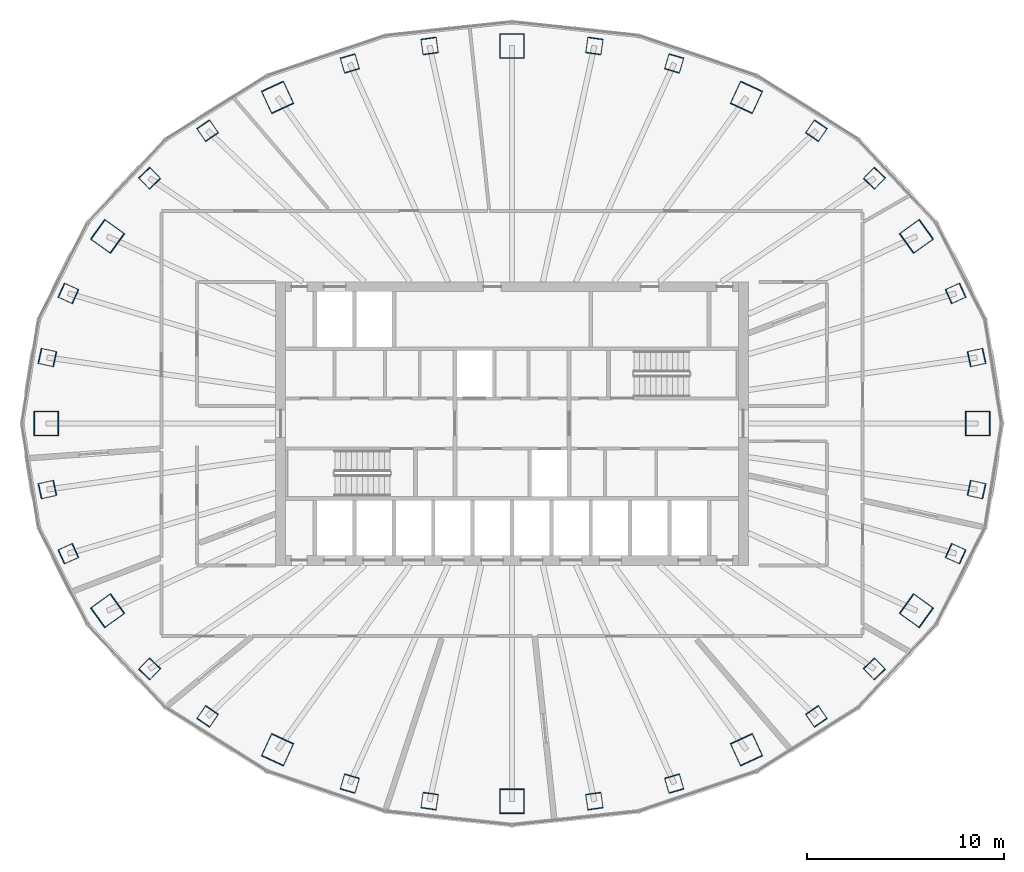
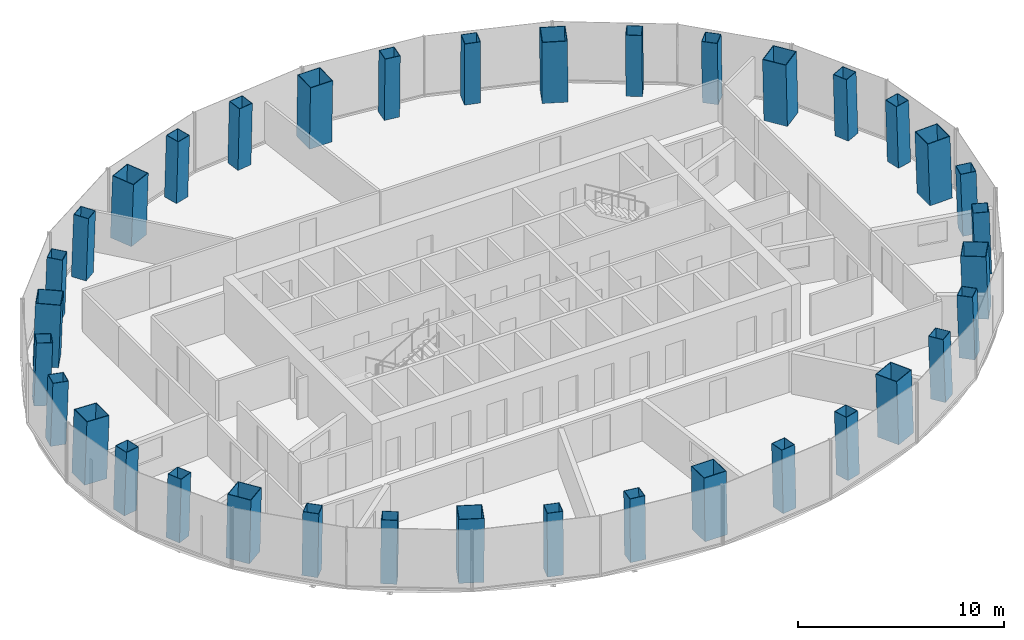
# One storey, part 1 of 12: 36 columns.
"""IFC4 building model written with IfcOpenShell, lengths in metres."""

from ifc_helpers import new_model, si_unit, direction, frame, origin, origin_2d, place, context, subcontext, project, spatial, hollow_rectangle, extrude, material, material_profile, profile_set, type_object, element, save


model = new_model("IFC4")

# Units and contexts
model_context = context("Model", 3, precision=1e-05, world=origin(), true_north=direction((0.0, 1.0)))
body_context = subcontext(model_context, "Body", "Model", "MODEL_VIEW")
ifc_project = project(units=[si_unit("LENGTHUNIT", "METRE"), si_unit("AREAUNIT", "SQUARE_METRE"), si_unit("VOLUMEUNIT", "CUBIC_METRE"), si_unit("PLANEANGLEUNIT", "RADIAN"), si_unit("MASSUNIT", "GRAM", prefix="KILO")], contexts=[model_context])

# Site, building, storey
site_placement = place(None, origin())
site = spatial("IfcSite", under=ifc_project, at=site_placement, CompositionType="ELEMENT")
building_placement = place(site_placement, origin())
building = spatial("IfcBuilding", under=site, at=building_placement, Name="Siaravel Broadcast Tower", CompositionType="ELEMENT")
storey_placement = place(building_placement, frame((0.0, 0.0, 137.800048828125)))
storey = spatial("IfcBuildingStorey", under=building, at=storey_placement, Name="L33", CompositionType="ELEMENT", Elevation=137.800048828125)

# Columns
ifc_material = material(Name="Concrete C60/75", Category="concrete")
ifc_material_profile_1 = material_profile(ifc_material, hollow_rectangle(XDim=1.25, YDim=1.25, WallThickness=0.031982421875, at=origin_2d()))
ifc_profile_set_1 = profile_set([ifc_material_profile_1], Name="Concrete C60/75")
column_type_1 = type_object("IfcColumnType", Name="COL-CFT BOX 1250x1250x32", PredefinedType="COLUMN", material=ifc_profile_set_1)
column_1_placement = place(storey_placement, frame((23.6728515625, 0.0, 0.0), z_axis=(-0.034555398, 0.0, 0.999402784), x_axis=(0.0, -1.0, 0.0)))
element("IfcColumn", 1, at=column_1_placement, inside=storey, type_object=column_type_1, Name="Megacolumn MC01", PredefinedType="COLUMN", context=body_context, shape_type="SweptSolid", body=[
    extrude(hollow_rectangle(XDim=1.25, YDim=1.25, WallThickness=0.031982421875, at=origin_2d()), origin(), (0.0, 0.0, 1.0), 3.7021484375),
])
column_2_placement = place(storey_placement, frame((20.554931640625, 9.51220703125, 0.0), z_axis=(-0.029940667, -0.01417895, 0.999451106), x_axis=(0.583250147, -0.812270814, 0.005949016)))
element("IfcColumn", 2, at=column_2_placement, inside=storey, type_object=column_type_1, Name="Megacolumn MC02", PredefinedType="COLUMN", context=body_context, shape_type="SweptSolid", body=[
    extrude(hollow_rectangle(XDim=1.25, YDim=1.25, WallThickness=0.031982421875, at=origin_2d()), origin(), (0.0, 0.0, 1.0), 3.701904296875),
])
column_3_placement = place(storey_placement, frame((11.916259765625, 16.578857421875, 0.0), z_axis=(-0.017280237, -0.024535299, 0.999549605), x_axis=(0.908022718, -0.418885919, 0.005415796)))
element("IfcColumn", 3, at=column_3_placement, inside=storey, type_object=column_type_1, Name="Megacolumn MC03", PredefinedType="COLUMN", context=body_context, shape_type="SweptSolid", body=[
    extrude(hollow_rectangle(XDim=1.25, YDim=1.25, WallThickness=0.031982421875, at=origin_2d()), origin(), (0.0, 0.0, 1.0), 3.70166015625),
])
column_4_placement = place(storey_placement, frame((0.0, 19.19189453125, 0.0), z_axis=(0.0, -0.02836206, 0.999597716), x_axis=(1.0, 0.0, 0.0)))
element("IfcColumn", 4, at=column_4_placement, inside=storey, type_object=column_type_1, Name="Megacolumn MC04", PredefinedType="COLUMN", context=body_context, shape_type="SweptSolid", body=[
    extrude(hollow_rectangle(XDim=1.25, YDim=1.25, WallThickness=0.031982421875, at=origin_2d()), origin(), (0.0, 0.0, 1.0), 3.701416015625),
])
column_5_placement = place(storey_placement, frame((-11.916259765625, 16.578857421875, 0.0), z_axis=(0.017280237, -0.024535299, 0.999549605), x_axis=(0.908022718, 0.418885919, -0.005415796)))
element("IfcColumn", 5, at=column_5_placement, inside=storey, type_object=column_type_1, Name="Megacolumn MC05", PredefinedType="COLUMN", context=body_context, shape_type="SweptSolid", body=[
    extrude(hollow_rectangle(XDim=1.25, YDim=1.25, WallThickness=0.031982421875, at=origin_2d()), origin(), (0.0, 0.0, 1.0), 3.70166015625),
])
column_6_placement = place(storey_placement, frame((-20.554931640625, 9.51220703125, 0.0), z_axis=(0.029940667, -0.01417895, 0.999451106), x_axis=(0.583250147, 0.812270814, -0.005949016)))
element("IfcColumn", 6, at=column_6_placement, inside=storey, type_object=column_type_1, Name="Megacolumn MC06", PredefinedType="COLUMN", context=body_context, shape_type="SweptSolid", body=[
    extrude(hollow_rectangle(XDim=1.25, YDim=1.25, WallThickness=0.031982421875, at=origin_2d()), origin(), (0.0, 0.0, 1.0), 3.701904296875),
])
column_7_placement = place(storey_placement, frame((-23.6728515625, 0.0, 0.0), z_axis=(0.034555398, 0.0, 0.999402784), x_axis=(0.0, 1.0, 0.0)))
element("IfcColumn", 7, at=column_7_placement, inside=storey, type_object=column_type_1, Name="Megacolumn MC07", PredefinedType="COLUMN", context=body_context, shape_type="SweptSolid", body=[
    extrude(hollow_rectangle(XDim=1.25, YDim=1.25, WallThickness=0.031982421875, at=origin_2d()), origin(), (0.0, 0.0, 1.0), 3.7021484375),
])
column_8_placement = place(storey_placement, frame((-20.554931640625, -9.51220703125, 0.0), z_axis=(0.029940667, 0.01417895, 0.999451106), x_axis=(-0.583250147, 0.812270814, 0.005949016)))
element("IfcColumn", 8, at=column_8_placement, inside=storey, type_object=column_type_1, Name="Megacolumn MC08", PredefinedType="COLUMN", context=body_context, shape_type="SweptSolid", body=[
    extrude(hollow_rectangle(XDim=1.25, YDim=1.25, WallThickness=0.031982421875, at=origin_2d()), origin(), (0.0, 0.0, 1.0), 3.701904296875),
])
column_9_placement = place(storey_placement, frame((-11.916259765625, -16.578857421875, 0.0), z_axis=(0.017280237, 0.024535299, 0.999549605), x_axis=(-0.908022718, 0.418885919, 0.005415796)))
element("IfcColumn", 9, at=column_9_placement, inside=storey, type_object=column_type_1, Name="Megacolumn MC09", PredefinedType="COLUMN", context=body_context, shape_type="SweptSolid", body=[
    extrude(hollow_rectangle(XDim=1.25, YDim=1.25, WallThickness=0.031982421875, at=origin_2d()), origin(), (0.0, 0.0, 1.0), 3.70166015625),
])
column_10_placement = place(storey_placement, frame((0.0, -19.19189453125, 0.0), z_axis=(0.0, 0.02836206, 0.999597716), x_axis=(-1.0, 0.0, 0.0)))
element("IfcColumn", 10, at=column_10_placement, inside=storey, type_object=column_type_1, Name="Megacolumn MC10", PredefinedType="COLUMN", context=body_context, shape_type="SweptSolid", body=[
    extrude(hollow_rectangle(XDim=1.25, YDim=1.25, WallThickness=0.031982421875, at=origin_2d()), origin(), (0.0, 0.0, 1.0), 3.701416015625),
])
column_11_placement = place(storey_placement, frame((11.916259765625, -16.578857421875, 0.0), z_axis=(-0.017280237, 0.024535299, 0.999549605), x_axis=(-0.908022718, -0.418885919, -0.005415796)))
element("IfcColumn", 11, at=column_11_placement, inside=storey, type_object=column_type_1, Name="Megacolumn MC11", PredefinedType="COLUMN", context=body_context, shape_type="SweptSolid", body=[
    extrude(hollow_rectangle(XDim=1.25, YDim=1.25, WallThickness=0.031982421875, at=origin_2d()), origin(), (0.0, 0.0, 1.0), 3.70166015625),
])
column_12_placement = place(storey_placement, frame((20.554931640625, -9.51220703125, 0.0), z_axis=(-0.029940667, 0.01417895, 0.999451106), x_axis=(-0.583250147, -0.812270814, -0.005949016)))
element("IfcColumn", 12, at=column_12_placement, inside=storey, type_object=column_type_1, Name="Megacolumn MC12", PredefinedType="COLUMN", context=body_context, shape_type="SweptSolid", body=[
    extrude(hollow_rectangle(XDim=1.25, YDim=1.25, WallThickness=0.031982421875, at=origin_2d()), origin(), (0.0, 0.0, 1.0), 3.701904296875),
])
ifc_material_profile_2 = material_profile(ifc_material, hollow_rectangle(XDim=0.800048828125, YDim=0.800048828125, WallThickness=0.02490234375, at=origin_2d()))
ifc_profile_set_2 = profile_set([ifc_material_profile_2], Name="Concrete C60/75")
column_type_2 = type_object("IfcColumnType", Name="COL-CFT BOX 800x800x25", PredefinedType="COLUMN", material=ifc_profile_set_2)
for number, where, z_axis, x_axis, name in (
    (13, (23.614501953125, 3.355224609375, 0.0), (-0.034093914, -0.00487998, 0.999406719), (0.211413133, -0.977393746, 0.002439687), "Perimeter column C01"),
    (14, (22.5478515625, 6.615478515625, 0.0), (-0.032511791, -0.009694185, 0.999424337), (0.409997039, -0.912075799, 0.004490491), "Perimeter column C02"),
):
    element("IfcColumn", number, at=place(storey_placement, frame(where, z_axis=z_axis, x_axis=x_axis)), inside=storey, type_object=column_type_2, Name=name, PredefinedType="COLUMN", context=body_context, shape_type="SweptSolid", body=[
        extrude(hollow_rectangle(XDim=0.800048828125, YDim=0.800048828125, WallThickness=0.02490234375, at=origin_2d()), origin(), (0.0, 0.0, 1.0), 3.7021484375),
    ])
column_13_placement = place(storey_placement, frame((18.418212890625, 12.470947265625, 0.0), z_axis=(-0.026446242, -0.018268352, 0.999483298), x_axis=(0.721972796, -0.691891312, 0.00645709)))
element("IfcColumn", 15, at=column_13_placement, inside=storey, type_object=column_type_2, Name="Perimeter column C03", PredefinedType="COLUMN", context=body_context, shape_type="SweptSolid", body=[
    extrude(hollow_rectangle(XDim=0.800048828125, YDim=0.800048828125, WallThickness=0.02490234375, at=origin_2d()), origin(), (0.0, 0.0, 1.0), 3.701904296875),
])
column_14_placement = place(storey_placement, frame((15.470703125, 14.885009765625, 0.0), z_axis=(-0.022292076, -0.0216985, 0.999516002), x_axis=(0.827314223, -0.561704567, 0.006257434)))
element("IfcColumn", 16, at=column_14_placement, inside=storey, type_object=column_type_2, Name="Perimeter column C04", PredefinedType="COLUMN", context=body_context, shape_type="SweptSolid", body=[
    extrude(hollow_rectangle(XDim=0.800048828125, YDim=0.800048828125, WallThickness=0.02490234375, at=origin_2d()), origin(), (0.0, 0.0, 1.0), 3.70166015625),
])
for number, where, z_axis, x_axis, name in (
    (17, (8.244384765625, 18.301513671875, 0.0), (-0.011872213, -0.026646524, 0.999574416), (0.959457794, -0.281825593, 0.003882868), "Perimeter column C05"),
    (18, (4.1875, 19.191650390625, 0.0), (-0.006002173, -0.027900212, 0.999592693), (0.990137685, -0.140082913, 0.002035464), "Perimeter column C06"),
    (19, (-4.1875, 19.191650390625, 0.0), (0.006002173, -0.027900212, 0.999592693), (0.990137685, 0.140082913, -0.002035464), "Perimeter column C07"),
    (20, (-8.244384765625, 18.301513671875, 0.0), (0.011872213, -0.026646524, 0.999574416), (0.959457794, 0.281825593, -0.003882868), "Perimeter column C08"),
):
    element("IfcColumn", number, at=place(storey_placement, frame(where, z_axis=z_axis, x_axis=x_axis)), inside=storey, type_object=column_type_2, Name=name, PredefinedType="COLUMN", context=body_context, shape_type="SweptSolid", body=[
        extrude(hollow_rectangle(XDim=0.800048828125, YDim=0.800048828125, WallThickness=0.02490234375, at=origin_2d()), origin(), (0.0, 0.0, 1.0), 3.701416015625),
    ])
column_15_placement = place(storey_placement, frame((-15.470703125, 14.885009765625, 0.0), z_axis=(0.022292076, -0.0216985, 0.999516002), x_axis=(0.827314223, 0.561704567, -0.006257434)))
element("IfcColumn", 21, at=column_15_placement, inside=storey, type_object=column_type_2, Name="Perimeter column C09", PredefinedType="COLUMN", context=body_context, shape_type="SweptSolid", body=[
    extrude(hollow_rectangle(XDim=0.800048828125, YDim=0.800048828125, WallThickness=0.02490234375, at=origin_2d()), origin(), (0.0, 0.0, 1.0), 3.70166015625),
])
column_16_placement = place(storey_placement, frame((-18.418212890625, 12.470947265625, 0.0), z_axis=(0.026446242, -0.018268352, 0.999483298), x_axis=(0.721972796, 0.691891312, -0.00645709)))
element("IfcColumn", 22, at=column_16_placement, inside=storey, type_object=column_type_2, Name="Perimeter column C10", PredefinedType="COLUMN", context=body_context, shape_type="SweptSolid", body=[
    extrude(hollow_rectangle(XDim=0.800048828125, YDim=0.800048828125, WallThickness=0.02490234375, at=origin_2d()), origin(), (0.0, 0.0, 1.0), 3.701904296875),
])
for number, where, z_axis, x_axis, name in (
    (23, (-22.5478515625, 6.615478515625, 0.0), (0.032511791, -0.009694185, 0.999424337), (0.409997039, 0.912075799, -0.004490491), "Perimeter column C11"),
    (24, (-23.614501953125, 3.355224609375, 0.0), (0.034093914, -0.00487998, 0.999406719), (0.211413133, 0.977393746, -0.002439687), "Perimeter column C12"),
    (25, (-23.614501953125, -3.355224609375, 0.0), (0.034093914, 0.00487998, 0.999406719), (-0.211413133, 0.977393746, 0.002439687), "Perimeter column C13"),
    (26, (-22.5478515625, -6.615478515625, 0.0), (0.032511791, 0.009694185, 0.999424337), (-0.409997039, 0.912075799, 0.004490491), "Perimeter column C14"),
):
    element("IfcColumn", number, at=place(storey_placement, frame(where, z_axis=z_axis, x_axis=x_axis)), inside=storey, type_object=column_type_2, Name=name, PredefinedType="COLUMN", context=body_context, shape_type="SweptSolid", body=[
        extrude(hollow_rectangle(XDim=0.800048828125, YDim=0.800048828125, WallThickness=0.02490234375, at=origin_2d()), origin(), (0.0, 0.0, 1.0), 3.7021484375),
    ])
column_17_placement = place(storey_placement, frame((-18.418212890625, -12.470947265625, 0.0), z_axis=(0.026446242, 0.018268352, 0.999483298), x_axis=(-0.721972796, 0.691891312, 0.00645709)))
element("IfcColumn", 27, at=column_17_placement, inside=storey, type_object=column_type_2, Name="Perimeter column C15", PredefinedType="COLUMN", context=body_context, shape_type="SweptSolid", body=[
    extrude(hollow_rectangle(XDim=0.800048828125, YDim=0.800048828125, WallThickness=0.02490234375, at=origin_2d()), origin(), (0.0, 0.0, 1.0), 3.701904296875),
])
column_18_placement = place(storey_placement, frame((-15.470703125, -14.885009765625, 0.0), z_axis=(0.022292076, 0.0216985, 0.999516002), x_axis=(-0.827314223, 0.561704567, 0.006257434)))
element("IfcColumn", 28, at=column_18_placement, inside=storey, type_object=column_type_2, Name="Perimeter column C16", PredefinedType="COLUMN", context=body_context, shape_type="SweptSolid", body=[
    extrude(hollow_rectangle(XDim=0.800048828125, YDim=0.800048828125, WallThickness=0.02490234375, at=origin_2d()), origin(), (0.0, 0.0, 1.0), 3.70166015625),
])
for number, where, z_axis, x_axis, name in (
    (29, (-8.244384765625, -18.301513671875, 0.0), (0.011872213, 0.026646524, 0.999574416), (-0.959457794, 0.281825593, 0.003882868), "Perimeter column C17"),
    (30, (-4.1875, -19.191650390625, 0.0), (0.006002173, 0.027900212, 0.999592693), (-0.990137685, 0.140082913, 0.002035464), "Perimeter column C18"),
    (31, (4.1875, -19.191650390625, 0.0), (-0.006002173, 0.027900212, 0.999592693), (-0.990137685, -0.140082913, -0.002035464), "Perimeter column C19"),
    (32, (8.244384765625, -18.301513671875, 0.0), (-0.011872213, 0.026646524, 0.999574416), (-0.959457794, -0.281825593, -0.003882868), "Perimeter column C20"),
):
    element("IfcColumn", number, at=place(storey_placement, frame(where, z_axis=z_axis, x_axis=x_axis)), inside=storey, type_object=column_type_2, Name=name, PredefinedType="COLUMN", context=body_context, shape_type="SweptSolid", body=[
        extrude(hollow_rectangle(XDim=0.800048828125, YDim=0.800048828125, WallThickness=0.02490234375, at=origin_2d()), origin(), (0.0, 0.0, 1.0), 3.701416015625),
    ])
column_19_placement = place(storey_placement, frame((15.470703125, -14.885009765625, 0.0), z_axis=(-0.022292076, 0.0216985, 0.999516002), x_axis=(-0.827314223, -0.561704567, -0.006257434)))
element("IfcColumn", 33, at=column_19_placement, inside=storey, type_object=column_type_2, Name="Perimeter column C21", PredefinedType="COLUMN", context=body_context, shape_type="SweptSolid", body=[
    extrude(hollow_rectangle(XDim=0.800048828125, YDim=0.800048828125, WallThickness=0.02490234375, at=origin_2d()), origin(), (0.0, 0.0, 1.0), 3.70166015625),
])
column_20_placement = place(storey_placement, frame((18.418212890625, -12.470947265625, 0.0), z_axis=(-0.026446242, 0.018268352, 0.999483298), x_axis=(-0.721972796, -0.691891312, -0.00645709)))
element("IfcColumn", 34, at=column_20_placement, inside=storey, type_object=column_type_2, Name="Perimeter column C22", PredefinedType="COLUMN", context=body_context, shape_type="SweptSolid", body=[
    extrude(hollow_rectangle(XDim=0.800048828125, YDim=0.800048828125, WallThickness=0.02490234375, at=origin_2d()), origin(), (0.0, 0.0, 1.0), 3.701904296875),
])
for number, where, z_axis, x_axis, name in (
    (35, (22.5478515625, -6.615478515625, 0.0), (-0.032511791, 0.009694185, 0.999424337), (-0.409997039, -0.912075799, -0.004490491), "Perimeter column C23"),
    (36, (23.614501953125, -3.355224609375, 0.0), (-0.034093914, 0.00487998, 0.999406719), (-0.211413133, -0.977393746, -0.002439687), "Perimeter column C24"),
):
    element("IfcColumn", number, at=place(storey_placement, frame(where, z_axis=z_axis, x_axis=x_axis)), inside=storey, type_object=column_type_2, Name=name, PredefinedType="COLUMN", context=body_context, shape_type="SweptSolid", body=[
        extrude(hollow_rectangle(XDim=0.800048828125, YDim=0.800048828125, WallThickness=0.02490234375, at=origin_2d()), origin(), (0.0, 0.0, 1.0), 3.7021484375),
    ])

save(model, "model.ifc")
